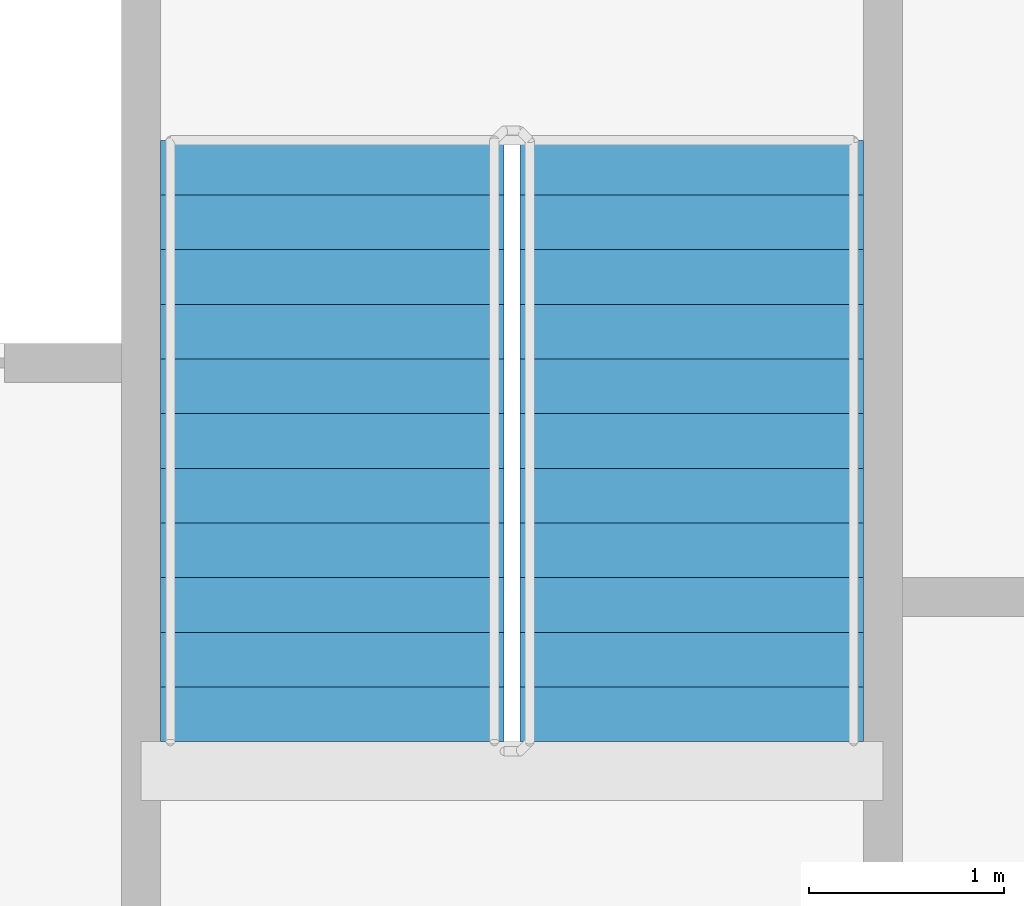
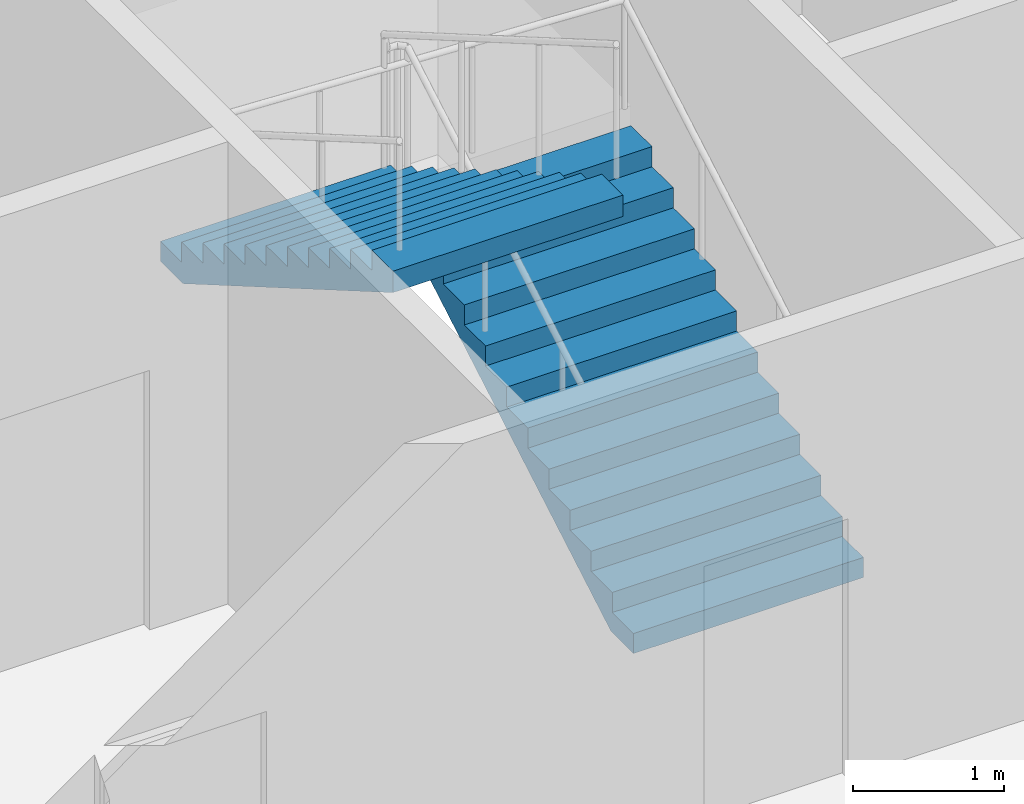
# One storey, part 10 of 16: 2 stair flights, 1 element without a shape of its own.
"""IFC4 building model written with IfcOpenShell, lengths in metres."""

from ifc_helpers import new_model, si_unit, direction, frame, origin, place, context, subcontext, project, spatial, faceted_brep, material, type_object, element, aggregate, save


model = new_model("IFC4")

# Units and contexts
model_context = context("Model", 3, precision=1e-05, world=origin(), true_north=direction((0.0, 1.0)))
body_context = subcontext(model_context, "Body", "Model", "MODEL_VIEW")
ifc_project = project(units=[si_unit("LENGTHUNIT", "METRE"), si_unit("AREAUNIT", "SQUARE_METRE"), si_unit("VOLUMEUNIT", "CUBIC_METRE"), si_unit("PLANEANGLEUNIT", "RADIAN"), si_unit("MASSUNIT", "GRAM", prefix="KILO")], contexts=[model_context])

# Site, building, storey
site_placement = place(None, origin())
site = spatial("IfcSite", under=ifc_project, at=site_placement, CompositionType="ELEMENT")
building_placement = place(site_placement, origin())
building = spatial("IfcBuilding", under=site, at=building_placement, Name="Tarsis Ring Headquarters", CompositionType="ELEMENT")
storey_placement = place(building_placement, frame((0.0, 0.0, 104.5)))
storey = spatial("IfcBuildingStorey", under=building, at=storey_placement, Name="L23", CompositionType="ELEMENT", Elevation=104.5)

# Stair, stair flights
ifc_material_1 = material(Name="Core stair 1760")
stair_type = type_object("IfcStairType", Name="Core stair 1760", PredefinedType="HALF_TURN_STAIR", material=ifc_material_1)
stair_placement = place(storey_placement, origin())
stair = element("IfcStair", 1, at=stair_placement, inside=storey, type_object=stair_type, Name="L23 Exit stair B", PredefinedType="HALF_TURN_STAIR")
ifc_material_2 = material(Name="Concrete C40/50", Category="concrete")
stair_flight_type = type_object("IfcStairFlightType", Name="Core stair flight 1760", PredefinedType="STRAIGHT", material=ifc_material_2)
stair_flight_1_placement = place(storey_placement, frame((5.419921875, 3.659912109375, 0.0), z_axis=(0.0, 0.0, 1.0), x_axis=(0.0, 1.0, 0.0)))
stair_flight_1 = element("IfcStairFlight", 2, at=stair_flight_1_placement, type_object=stair_flight_type, Name="Stair ST2 flight 1", NumberOfRisers=12, NumberOfTreads=11, PredefinedType="STRAIGHT", RiserHeight=0.1625, TreadLength=0.28, context=body_context, shape_type="Brep", body=[
    faceted_brep([(0.0, 0.8798828125, 0.0), (0.0, 0.8798828125, 0.16259765625), (0.280029296875, 0.8798828125, 0.16259765625), (0.280029296875, 0.8798828125, 0.324951171875), (0.56005859375, 0.8798828125, 0.324951171875), (0.56005859375, 0.8798828125, 0.487548828125), (0.840087890625, 0.8798828125, 0.487548828125), (0.840087890625, 0.8798828125, 0.64990234375), (1.1201171875, 0.8798828125, 0.64990234375), (1.1201171875, 0.8798828125, 0.8125), (1.39990234375, 0.8798828125, 0.8125), (1.39990234375, 0.8798828125, 0.97509765625), (1.679931640625, 0.8798828125, 0.97509765625), (1.679931640625, 0.8798828125, 1.137451171875), (1.9599609375, 0.8798828125, 1.137451171875), (1.9599609375, 0.8798828125, 1.300048828125), (2.239990234375, 0.8798828125, 1.300048828125), (2.239990234375, 0.8798828125, 1.46240234375), (2.52001953125, 0.8798828125, 1.46240234375), (2.52001953125, 0.8798828125, 1.625), (2.800048828125, 0.8798828125, 1.625), (2.800048828125, 0.8798828125, 1.78759765625), (3.080078125, 0.8798828125, 1.78759765625), (3.080078125, 0.8798828125, 1.6142578125), (0.298583984375, 0.8798828125, 0.0), (0.298583984375, -0.8798828125, 0.0), (3.080078125, -0.8798828125, 1.6142578125), (3.080078125, -0.8798828125, 1.78759765625), (2.800048828125, -0.8798828125, 1.78759765625), (2.800048828125, -0.8798828125, 1.625), (2.52001953125, -0.8798828125, 1.625), (2.52001953125, -0.8798828125, 1.46240234375), (2.239990234375, -0.8798828125, 1.46240234375), (2.239990234375, -0.8798828125, 1.300048828125), (1.9599609375, -0.8798828125, 1.300048828125), (1.9599609375, -0.8798828125, 1.137451171875), (1.679931640625, -0.8798828125, 1.137451171875), (1.679931640625, -0.8798828125, 0.97509765625), (1.39990234375, -0.8798828125, 0.97509765625), (1.39990234375, -0.8798828125, 0.8125), (1.1201171875, -0.8798828125, 0.8125), (1.1201171875, -0.8798828125, 0.64990234375), (0.840087890625, -0.8798828125, 0.64990234375), (0.840087890625, -0.8798828125, 0.487548828125), (0.56005859375, -0.8798828125, 0.487548828125), (0.56005859375, -0.8798828125, 0.324951171875), (0.280029296875, -0.8798828125, 0.324951171875), (0.280029296875, -0.8798828125, 0.16259765625), (0.0, -0.8798828125, 0.16259765625), (0.0, -0.8798828125, 0.0), (0.0, -0.43994140625, 0.16259765625), (0.0, -0.43994140625, 0.0), (0.0, 0.0, 0.16259765625), (0.0, 0.0, 0.0), (0.0, 0.43994140625, 0.16259765625), (0.0, 0.43994140625, 0.0), (0.280029296875, -0.43994140625, 0.16259765625), (0.280029296875, 0.0, 0.16259765625), (0.280029296875, 0.43994140625, 0.16259765625), (0.280029296875, -0.43994140625, 0.324951171875), (0.280029296875, 0.0, 0.324951171875), (0.280029296875, 0.43994140625, 0.324951171875), (0.56005859375, -0.43994140625, 0.324951171875), (0.56005859375, 0.0, 0.324951171875), (0.56005859375, 0.43994140625, 0.324951171875), (0.56005859375, -0.43994140625, 0.487548828125), (0.56005859375, 0.0, 0.487548828125), (0.56005859375, 0.43994140625, 0.487548828125), (0.840087890625, -0.43994140625, 0.487548828125), (0.840087890625, 0.0, 0.487548828125), (0.840087890625, 0.43994140625, 0.487548828125), (0.840087890625, -0.43994140625, 0.64990234375), (0.840087890625, 0.0, 0.64990234375), (0.840087890625, 0.43994140625, 0.64990234375), (1.1201171875, -0.43994140625, 0.64990234375), (1.1201171875, 0.0, 0.64990234375), (1.1201171875, 0.43994140625, 0.64990234375), (1.1201171875, -0.43994140625, 0.8125), (1.1201171875, 0.0, 0.8125), (1.1201171875, 0.43994140625, 0.8125), (1.39990234375, -0.43994140625, 0.8125), (1.39990234375, 0.0, 0.8125), (1.39990234375, 0.43994140625, 0.8125), (1.39990234375, -0.43994140625, 0.97509765625), (1.39990234375, 0.0, 0.97509765625), (1.39990234375, 0.43994140625, 0.97509765625), (1.679931640625, -0.43994140625, 0.97509765625), (1.679931640625, 0.0, 0.97509765625), (1.679931640625, 0.43994140625, 0.97509765625), (1.679931640625, -0.43994140625, 1.137451171875), (1.679931640625, 0.0, 1.137451171875), (1.679931640625, 0.43994140625, 1.137451171875), (1.9599609375, -0.43994140625, 1.137451171875), (1.9599609375, 0.0, 1.137451171875), (1.9599609375, 0.43994140625, 1.137451171875), (1.9599609375, -0.43994140625, 1.300048828125), (1.9599609375, 0.0, 1.300048828125), (1.9599609375, 0.43994140625, 1.300048828125), (2.239990234375, -0.43994140625, 1.300048828125), (2.239990234375, 0.0, 1.300048828125), (2.239990234375, 0.43994140625, 1.300048828125), (2.239990234375, -0.43994140625, 1.46240234375), (2.239990234375, 0.0, 1.46240234375), (2.239990234375, 0.43994140625, 1.46240234375), (2.52001953125, -0.43994140625, 1.46240234375), (2.52001953125, 0.0, 1.46240234375), (2.52001953125, 0.43994140625, 1.46240234375), (2.52001953125, -0.43994140625, 1.625), (2.52001953125, 0.0, 1.625), (2.52001953125, 0.43994140625, 1.625), (2.800048828125, -0.43994140625, 1.625), (2.800048828125, 0.0, 1.625), (2.800048828125, 0.43994140625, 1.625), (2.800048828125, -0.43994140625, 1.78759765625), (2.800048828125, 0.0, 1.78759765625), (2.800048828125, 0.43994140625, 1.78759765625), (3.080078125, -0.43994140625, 1.78759765625), (3.080078125, 0.0, 1.78759765625), (3.080078125, 0.43994140625, 1.78759765625), (3.080078125, -0.43994140625, 1.6142578125), (3.080078125, 0.0, 1.6142578125), (3.080078125, 0.43994140625, 1.6142578125), (0.298583984375, -0.43994140625, 0.0), (0.298583984375, 0.0, 0.0), (0.298583984375, 0.43994140625, 0.0)], [[[0, 1, 2, 3, 4, 5, 6, 7, 8, 9, 10, 11, 12, 13, 14, 15, 16, 17, 18, 19, 20, 21, 22, 23, 24]], [[25, 26, 27, 28, 29, 30, 31, 32, 33, 34, 35, 36, 37, 38, 39, 40, 41, 42, 43, 44, 45, 46, 47, 48, 49]], [[49, 48, 50, 51]], [[51, 50, 52, 53]], [[53, 52, 54, 55]], [[55, 54, 1, 0]], [[48, 47, 56, 50]], [[50, 56, 57, 52]], [[52, 57, 58, 54]], [[54, 58, 2, 1]], [[47, 46, 59, 56]], [[56, 59, 60, 57]], [[57, 60, 61, 58]], [[58, 61, 3, 2]], [[46, 45, 62, 59]], [[59, 62, 63, 60]], [[60, 63, 64, 61]], [[61, 64, 4, 3]], [[45, 44, 65, 62]], [[62, 65, 66, 63]], [[63, 66, 67, 64]], [[64, 67, 5, 4]], [[44, 43, 68, 65]], [[65, 68, 69, 66]], [[66, 69, 70, 67]], [[67, 70, 6, 5]], [[43, 42, 71, 68]], [[68, 71, 72, 69]], [[69, 72, 73, 70]], [[70, 73, 7, 6]], [[42, 41, 74, 71]], [[71, 74, 75, 72]], [[72, 75, 76, 73]], [[73, 76, 8, 7]], [[41, 40, 77, 74]], [[74, 77, 78, 75]], [[75, 78, 79, 76]], [[76, 79, 9, 8]], [[40, 39, 80, 77]], [[77, 80, 81, 78]], [[78, 81, 82, 79]], [[79, 82, 10, 9]], [[39, 38, 83, 80]], [[80, 83, 84, 81]], [[81, 84, 85, 82]], [[82, 85, 11, 10]], [[38, 37, 86, 83]], [[83, 86, 87, 84]], [[84, 87, 88, 85]], [[85, 88, 12, 11]], [[37, 36, 89, 86]], [[86, 89, 90, 87]], [[87, 90, 91, 88]], [[88, 91, 13, 12]], [[36, 35, 92, 89]], [[89, 92, 93, 90]], [[90, 93, 94, 91]], [[91, 94, 14, 13]], [[35, 34, 95, 92]], [[92, 95, 96, 93]], [[93, 96, 97, 94]], [[94, 97, 15, 14]], [[34, 33, 98, 95]], [[95, 98, 99, 96]], [[96, 99, 100, 97]], [[97, 100, 16, 15]], [[33, 32, 101, 98]], [[98, 101, 102, 99]], [[99, 102, 103, 100]], [[100, 103, 17, 16]], [[32, 31, 104, 101]], [[101, 104, 105, 102]], [[102, 105, 106, 103]], [[103, 106, 18, 17]], [[31, 30, 107, 104]], [[104, 107, 108, 105]], [[105, 108, 109, 106]], [[106, 109, 19, 18]], [[30, 29, 110, 107]], [[107, 110, 111, 108]], [[108, 111, 112, 109]], [[109, 112, 20, 19]], [[29, 28, 113, 110]], [[110, 113, 114, 111]], [[111, 114, 115, 112]], [[112, 115, 21, 20]], [[28, 27, 116, 113]], [[113, 116, 117, 114]], [[114, 117, 118, 115]], [[115, 118, 22, 21]], [[27, 26, 119, 116]], [[116, 119, 120, 117]], [[117, 120, 121, 118]], [[118, 121, 23, 22]], [[26, 25, 122, 119]], [[119, 122, 123, 120]], [[120, 123, 124, 121]], [[121, 124, 24, 23]], [[25, 49, 51, 122]], [[122, 51, 53, 123]], [[123, 53, 55, 124]], [[124, 55, 0, 24]]]),
])
stair_flight_2_placement = place(storey_placement, frame((3.580078125, 6.739990234375, 1.949951171875), z_axis=(0.0, 0.0, 1.0), x_axis=(0.0, -1.0, 0.0)))
stair_flight_2 = element("IfcStairFlight", 3, at=stair_flight_2_placement, type_object=stair_flight_type, Name="Stair ST2 flight 2", NumberOfRisers=12, NumberOfTreads=11, PredefinedType="STRAIGHT", RiserHeight=0.1625, TreadLength=0.28, context=body_context, shape_type="Brep", body=[
    faceted_brep([(0.0, 0.8798828125, 0.0), (0.0, 0.8798828125, 0.16259765625), (0.280029296875, 0.8798828125, 0.16259765625), (0.280029296875, 0.8798828125, 0.324951171875), (0.56005859375, 0.8798828125, 0.324951171875), (0.56005859375, 0.8798828125, 0.487548828125), (0.840087890625, 0.8798828125, 0.487548828125), (0.840087890625, 0.8798828125, 0.64990234375), (1.1201171875, 0.8798828125, 0.64990234375), (1.1201171875, 0.8798828125, 0.8125), (1.39990234375, 0.8798828125, 0.8125), (1.39990234375, 0.8798828125, 0.97509765625), (1.679931640625, 0.8798828125, 0.97509765625), (1.679931640625, 0.8798828125, 1.137451171875), (1.9599609375, 0.8798828125, 1.137451171875), (1.9599609375, 0.8798828125, 1.300048828125), (2.239990234375, 0.8798828125, 1.300048828125), (2.239990234375, 0.8798828125, 1.46240234375), (2.52001953125, 0.8798828125, 1.46240234375), (2.52001953125, 0.8798828125, 1.625), (2.800048828125, 0.8798828125, 1.625), (2.800048828125, 0.8798828125, 1.78759765625), (3.080078125, 0.8798828125, 1.78759765625), (3.080078125, 0.8798828125, 1.6142578125), (0.298583984375, 0.8798828125, 0.0), (0.298583984375, -0.8798828125, 0.0), (3.080078125, -0.8798828125, 1.6142578125), (3.080078125, -0.8798828125, 1.78759765625), (2.800048828125, -0.8798828125, 1.78759765625), (2.800048828125, -0.8798828125, 1.625), (2.52001953125, -0.8798828125, 1.625), (2.52001953125, -0.8798828125, 1.46240234375), (2.239990234375, -0.8798828125, 1.46240234375), (2.239990234375, -0.8798828125, 1.300048828125), (1.9599609375, -0.8798828125, 1.300048828125), (1.9599609375, -0.8798828125, 1.137451171875), (1.679931640625, -0.8798828125, 1.137451171875), (1.679931640625, -0.8798828125, 0.97509765625), (1.39990234375, -0.8798828125, 0.97509765625), (1.39990234375, -0.8798828125, 0.8125), (1.1201171875, -0.8798828125, 0.8125), (1.1201171875, -0.8798828125, 0.64990234375), (0.840087890625, -0.8798828125, 0.64990234375), (0.840087890625, -0.8798828125, 0.487548828125), (0.56005859375, -0.8798828125, 0.487548828125), (0.56005859375, -0.8798828125, 0.324951171875), (0.280029296875, -0.8798828125, 0.324951171875), (0.280029296875, -0.8798828125, 0.16259765625), (0.0, -0.8798828125, 0.16259765625), (0.0, -0.8798828125, 0.0), (0.0, -0.43994140625, 0.16259765625), (0.0, -0.43994140625, 0.0), (0.0, 0.0, 0.16259765625), (0.0, 0.0, 0.0), (0.0, 0.43994140625, 0.16259765625), (0.0, 0.43994140625, 0.0), (0.280029296875, -0.43994140625, 0.16259765625), (0.280029296875, 0.0, 0.16259765625), (0.280029296875, 0.43994140625, 0.16259765625), (0.280029296875, -0.43994140625, 0.324951171875), (0.280029296875, 0.0, 0.324951171875), (0.280029296875, 0.43994140625, 0.324951171875), (0.56005859375, -0.43994140625, 0.324951171875), (0.56005859375, 0.0, 0.324951171875), (0.56005859375, 0.43994140625, 0.324951171875), (0.56005859375, -0.43994140625, 0.487548828125), (0.56005859375, 0.0, 0.487548828125), (0.56005859375, 0.43994140625, 0.487548828125), (0.840087890625, -0.43994140625, 0.487548828125), (0.840087890625, 0.0, 0.487548828125), (0.840087890625, 0.43994140625, 0.487548828125), (0.840087890625, -0.43994140625, 0.64990234375), (0.840087890625, 0.0, 0.64990234375), (0.840087890625, 0.43994140625, 0.64990234375), (1.1201171875, -0.43994140625, 0.64990234375), (1.1201171875, 0.0, 0.64990234375), (1.1201171875, 0.43994140625, 0.64990234375), (1.1201171875, -0.43994140625, 0.8125), (1.1201171875, 0.0, 0.8125), (1.1201171875, 0.43994140625, 0.8125), (1.39990234375, -0.43994140625, 0.8125), (1.39990234375, 0.0, 0.8125), (1.39990234375, 0.43994140625, 0.8125), (1.39990234375, -0.43994140625, 0.97509765625), (1.39990234375, 0.0, 0.97509765625), (1.39990234375, 0.43994140625, 0.97509765625), (1.679931640625, -0.43994140625, 0.97509765625), (1.679931640625, 0.0, 0.97509765625), (1.679931640625, 0.43994140625, 0.97509765625), (1.679931640625, -0.43994140625, 1.137451171875), (1.679931640625, 0.0, 1.137451171875), (1.679931640625, 0.43994140625, 1.137451171875), (1.9599609375, -0.43994140625, 1.137451171875), (1.9599609375, 0.0, 1.137451171875), (1.9599609375, 0.43994140625, 1.137451171875), (1.9599609375, -0.43994140625, 1.300048828125), (1.9599609375, 0.0, 1.300048828125), (1.9599609375, 0.43994140625, 1.300048828125), (2.239990234375, -0.43994140625, 1.300048828125), (2.239990234375, 0.0, 1.300048828125), (2.239990234375, 0.43994140625, 1.300048828125), (2.239990234375, -0.43994140625, 1.46240234375), (2.239990234375, 0.0, 1.46240234375), (2.239990234375, 0.43994140625, 1.46240234375), (2.52001953125, -0.43994140625, 1.46240234375), (2.52001953125, 0.0, 1.46240234375), (2.52001953125, 0.43994140625, 1.46240234375), (2.52001953125, -0.43994140625, 1.625), (2.52001953125, 0.0, 1.625), (2.52001953125, 0.43994140625, 1.625), (2.800048828125, -0.43994140625, 1.625), (2.800048828125, 0.0, 1.625), (2.800048828125, 0.43994140625, 1.625), (2.800048828125, -0.43994140625, 1.78759765625), (2.800048828125, 0.0, 1.78759765625), (2.800048828125, 0.43994140625, 1.78759765625), (3.080078125, -0.43994140625, 1.78759765625), (3.080078125, 0.0, 1.78759765625), (3.080078125, 0.43994140625, 1.78759765625), (3.080078125, -0.43994140625, 1.6142578125), (3.080078125, 0.0, 1.6142578125), (3.080078125, 0.43994140625, 1.6142578125), (0.298583984375, -0.43994140625, 0.0), (0.298583984375, 0.0, 0.0), (0.298583984375, 0.43994140625, 0.0)], [[[0, 1, 2, 3, 4, 5, 6, 7, 8, 9, 10, 11, 12, 13, 14, 15, 16, 17, 18, 19, 20, 21, 22, 23, 24]], [[25, 26, 27, 28, 29, 30, 31, 32, 33, 34, 35, 36, 37, 38, 39, 40, 41, 42, 43, 44, 45, 46, 47, 48, 49]], [[49, 48, 50, 51]], [[51, 50, 52, 53]], [[53, 52, 54, 55]], [[55, 54, 1, 0]], [[48, 47, 56, 50]], [[50, 56, 57, 52]], [[52, 57, 58, 54]], [[54, 58, 2, 1]], [[47, 46, 59, 56]], [[56, 59, 60, 57]], [[57, 60, 61, 58]], [[58, 61, 3, 2]], [[46, 45, 62, 59]], [[59, 62, 63, 60]], [[60, 63, 64, 61]], [[61, 64, 4, 3]], [[45, 44, 65, 62]], [[62, 65, 66, 63]], [[63, 66, 67, 64]], [[64, 67, 5, 4]], [[44, 43, 68, 65]], [[65, 68, 69, 66]], [[66, 69, 70, 67]], [[67, 70, 6, 5]], [[43, 42, 71, 68]], [[68, 71, 72, 69]], [[69, 72, 73, 70]], [[70, 73, 7, 6]], [[42, 41, 74, 71]], [[71, 74, 75, 72]], [[72, 75, 76, 73]], [[73, 76, 8, 7]], [[41, 40, 77, 74]], [[74, 77, 78, 75]], [[75, 78, 79, 76]], [[76, 79, 9, 8]], [[40, 39, 80, 77]], [[77, 80, 81, 78]], [[78, 81, 82, 79]], [[79, 82, 10, 9]], [[39, 38, 83, 80]], [[80, 83, 84, 81]], [[81, 84, 85, 82]], [[82, 85, 11, 10]], [[38, 37, 86, 83]], [[83, 86, 87, 84]], [[84, 87, 88, 85]], [[85, 88, 12, 11]], [[37, 36, 89, 86]], [[86, 89, 90, 87]], [[87, 90, 91, 88]], [[88, 91, 13, 12]], [[36, 35, 92, 89]], [[89, 92, 93, 90]], [[90, 93, 94, 91]], [[91, 94, 14, 13]], [[35, 34, 95, 92]], [[92, 95, 96, 93]], [[93, 96, 97, 94]], [[94, 97, 15, 14]], [[34, 33, 98, 95]], [[95, 98, 99, 96]], [[96, 99, 100, 97]], [[97, 100, 16, 15]], [[33, 32, 101, 98]], [[98, 101, 102, 99]], [[99, 102, 103, 100]], [[100, 103, 17, 16]], [[32, 31, 104, 101]], [[101, 104, 105, 102]], [[102, 105, 106, 103]], [[103, 106, 18, 17]], [[31, 30, 107, 104]], [[104, 107, 108, 105]], [[105, 108, 109, 106]], [[106, 109, 19, 18]], [[30, 29, 110, 107]], [[107, 110, 111, 108]], [[108, 111, 112, 109]], [[109, 112, 20, 19]], [[29, 28, 113, 110]], [[110, 113, 114, 111]], [[111, 114, 115, 112]], [[112, 115, 21, 20]], [[28, 27, 116, 113]], [[113, 116, 117, 114]], [[114, 117, 118, 115]], [[115, 118, 22, 21]], [[27, 26, 119, 116]], [[116, 119, 120, 117]], [[117, 120, 121, 118]], [[118, 121, 23, 22]], [[26, 25, 122, 119]], [[119, 122, 123, 120]], [[120, 123, 124, 121]], [[121, 124, 24, 23]], [[25, 49, 51, 122]], [[122, 51, 53, 123]], [[123, 53, 55, 124]], [[124, 55, 0, 24]]]),
])
aggregate(stair, [stair_flight_1, stair_flight_2])

save(model, "model.ifc")
